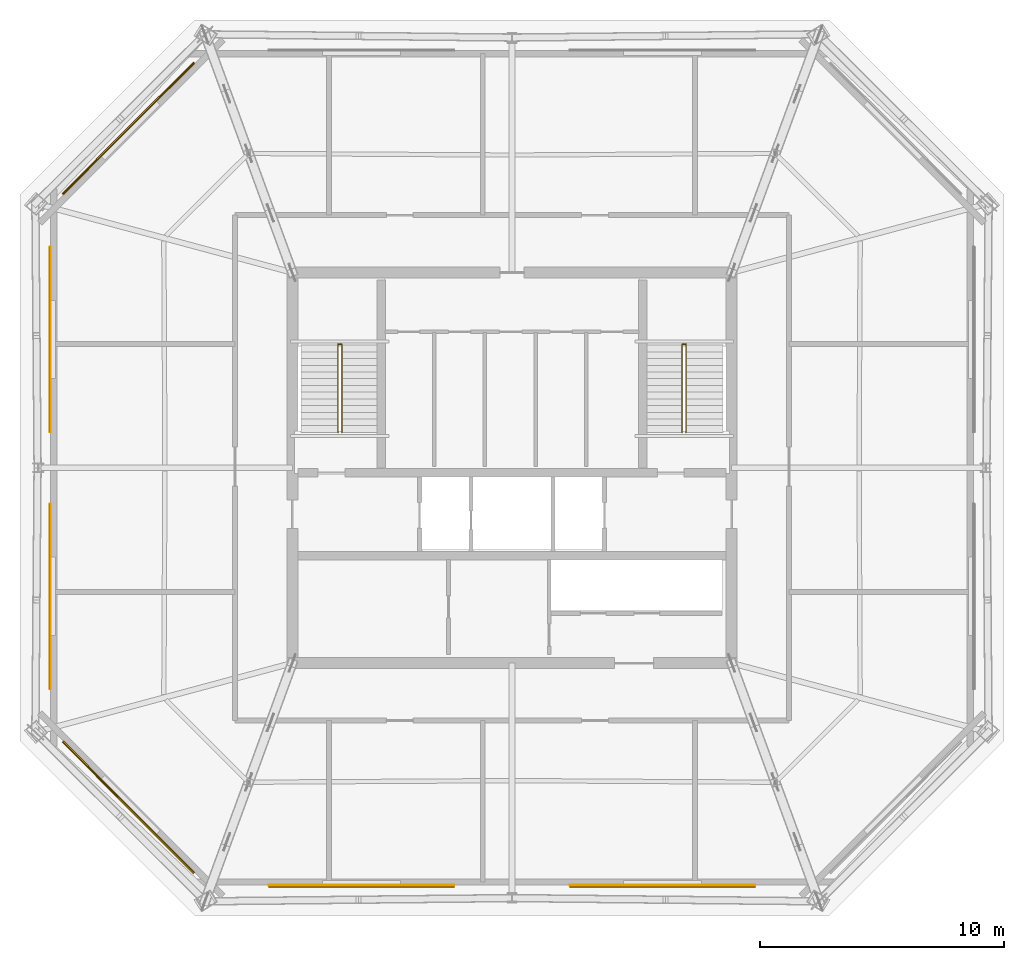
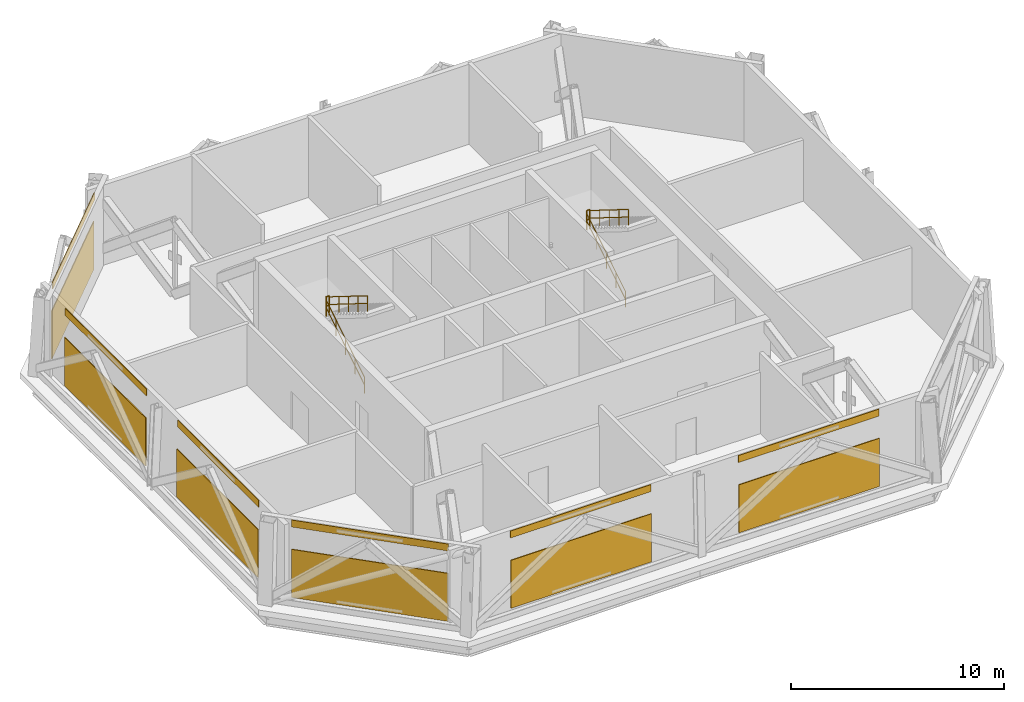
# One storey, part 9 of 10: 6 coverings, 6 railings, 6 shading devices.
"""IFC4 building model written with IfcOpenShell, lengths in metres."""

from ifc_helpers import new_model, si_unit, direction, frame, origin, origin_2d, place, context, subcontext, project, spatial, rectangle, circle, extrude, material, layer, layer_set, type_object, element, save


model = new_model("IFC4")

# Units and contexts
model_context = context("Model", 3, precision=1e-05, world=origin(), true_north=direction((0.0, 1.0)))
body_context = subcontext(model_context, "Body", "Model", "MODEL_VIEW")
ifc_project = project(units=[si_unit("LENGTHUNIT", "METRE"), si_unit("AREAUNIT", "SQUARE_METRE"), si_unit("VOLUMEUNIT", "CUBIC_METRE"), si_unit("PLANEANGLEUNIT", "RADIAN"), si_unit("MASSUNIT", "GRAM", prefix="KILO")], contexts=[model_context])

# Site, building, storey
site_placement = place(None, origin())
site = spatial("IfcSite", under=ifc_project, at=site_placement, CompositionType="ELEMENT")
building_placement = place(site_placement, origin())
building = spatial("IfcBuilding", under=site, at=building_placement, Name="Caelvoria Tower", CompositionType="ELEMENT")
storey_placement = place(building_placement, frame((0.0, 0.0, 234.60009765625)))
storey = spatial("IfcBuildingStorey", under=building, at=storey_placement, Name="L62", CompositionType="ELEMENT", Elevation=234.60009765625)

# Coverings
ifc_material_1 = material(Name="Perforated Architectural Bronze Cladding Screen", Category="bronze")
ifc_layer_1 = layer(ifc_material_1, 0.0400390625, Name="Perforated Architectural Bronze Cladding Screen")
ifc_layer_set_1 = layer_set([ifc_layer_1], Name="Perforated Bronze Louvre Cladding Band 40 - Perforated Architectural Bronze Cladding Screen")
covering_type = type_object("IfcCoveringType", Name="Perforated Bronze Louvre Cladding Band 40", PredefinedType="CLADDING", material=ifc_layer_set_1)
for number, where, z_axis, x_axis, name in (
    (1, (39.834716796875, 14.892578125, 4.155029296875), (0.0, 0.0, 1.0), (1.0, 0.0, 0.0), "Perforated Bronze Screen Band L62-E0-00"),
    (2, (52.165283203125, 14.892578125, 4.155029296875), (0.0, 0.0, 1.0), (1.0, 0.0, 0.0), "Perforated Bronze Screen Band L62-E0-01"),
    (3, (30.302734375, 45.88818359375, 4.155029296875), (0.0, 0.0, 1.0), (-0.707106781187, -0.707106781187, 0.0), "Perforated Bronze Screen Band L62-E5-00"),
    (4, (27.08349609375, 37.260986328125, 4.155029296875), (0.0, 0.0, 1.0), (0.0, -1.0, 0.0), "Perforated Bronze Screen Band L62-E6-00"),
    (5, (27.08349609375, 26.739013671875, 4.155029296875), (0.0, 0.0, 1.0), (0.0, -1.0, 0.0), "Perforated Bronze Screen Band L62-E6-01"),
    (6, (30.302734375, 18.11181640625, 4.155029296875), (0.0, 0.0, 1.0), (0.707106781187, -0.707106781187, 0.0), "Perforated Bronze Screen Band L62-E7-00"),
):
    element("IfcCovering", number, at=place(storey_placement, frame(where, z_axis=z_axis, x_axis=x_axis)), inside=storey, type_object=covering_type, Name=name, PredefinedType="CLADDING", context=body_context, shape_type="SweptSolid", body=[
        extrude(rectangle(XDim=7.60009765625, YDim=0.0400390625, at=origin_2d()), origin(), (0.0, 0.0, 1.0), 0.39990234375),
    ])

# Shading devices
ifc_material_2 = material(Name="Perforated Architectural Bronze Alloy Panel", Category="bronze")
ifc_layer_2 = layer(ifc_material_2, 0.044921875, Name="Perforated Architectural Bronze Alloy Panel")
ifc_layer_set_2 = layer_set([ifc_layer_2], Name="Perforated Bronze Solar Screen Panel SCREEN - Perforated Architectural Bronze Alloy Panel")
shading_device_type = type_object("IfcShadingDeviceType", Name="Perforated Bronze Solar Screen Panel SCREEN", PredefinedType="USERDEFINED", material=ifc_layer_set_2)
for number, where, z_axis, x_axis, name in (
    (7, (39.834716796875, 14.849609375, 0.159912109375), (0.0, 0.0, 1.0), (1.0, 0.0, 0.0), "Perforated Bronze Solar Screen L62-E0-00"),
    (8, (52.165283203125, 14.849609375, 0.159912109375), (0.0, 0.0, 1.0), (1.0, 0.0, 0.0), "Perforated Bronze Solar Screen L62-E0-01"),
    (9, (30.272216796875, 45.918701171875, 0.159912109375), (0.0, 0.0, 1.0), (-0.707106781187, -0.707106781187, 0.0), "Perforated Bronze Solar Screen L62-E5-00"),
    (10, (27.04052734375, 37.260986328125, 0.159912109375), (0.0, 0.0, 1.0), (0.0, -1.0, 0.0), "Perforated Bronze Solar Screen L62-E6-00"),
    (11, (27.04052734375, 26.739013671875, 0.159912109375), (0.0, 0.0, 1.0), (0.0, -1.0, 0.0), "Perforated Bronze Solar Screen L62-E6-01"),
    (12, (30.272216796875, 18.081298828125, 0.159912109375), (0.0, 0.0, 1.0), (0.707106781187, -0.707106781187, 0.0), "Perforated Bronze Solar Screen L62-E7-00"),
):
    element("IfcShadingDevice", number, at=place(storey_placement, frame(where, z_axis=z_axis, x_axis=x_axis)), inside=storey, type_object=shading_device_type, Name=name, ObjectType="SCREEN", PredefinedType="USERDEFINED", context=body_context, shape_type="SweptSolid", body=[
        extrude(rectangle(XDim=7.60009765625, YDim=0.044921875, at=origin_2d()), origin(), (0.0, 0.0, 1.0), 2.75),
    ])

# Railings
ifc_material_3 = material(Name="Brushed Stainless Steel Tube", Category="steel")
railing_type_1 = type_object("IfcRailingType", Name="Stair Tubular Stainless Handrail 920", PredefinedType="HANDRAIL", material=ifc_material_3)
railing_1_placement = place(storey_placement, frame((38.8701171875, 33.449951171875, 0.17138671875)))
element("IfcRailing", 13, at=railing_1_placement, inside=storey, type_object=railing_type_1, Name="ST-01 Flight 1 Handrail L62", PredefinedType="HANDRAIL", context=body_context, shape_type="SweptSolid", body=[
    extrude(circle(Radius=0.02392578125, at=origin_2d()), frame((0.0, 0.0, 0.89599609375), z_axis=(0.0, 0.848619585623, 0.529003590628), x_axis=(-1.0, 0.0, 0.0)), (0.0, 0.0, 1.0), 4.212646484375),
    extrude(circle(Radius=0.02392578125, at=origin_2d()), frame((0.0, 0.0, 0.4599609375), z_axis=(0.0, 0.848619585623, 0.529003590628), x_axis=(-1.0, 0.0, 0.0)), (0.0, 0.0, 1.0), 4.212646484375),
    extrude(circle(Radius=0.02099609375, at=origin_2d()), origin(), (0.0, 0.0, 1.0), 0.871826171875),
    extrude(circle(Radius=0.02099609375, at=origin_2d()), frame((0.0, 0.893798828125, 0.55712890625)), (0.0, 0.0, 1.0), 0.871826171875),
    extrude(circle(Radius=0.02099609375, at=origin_2d()), frame((0.0, 1.78759765625, 1.1142578125)), (0.0, 0.0, 1.0), 0.871826171875),
    extrude(circle(Radius=0.02099609375, at=origin_2d()), frame((0.0, 2.68115234375, 1.67138671875)), (0.0, 0.0, 1.0), 0.871826171875),
    extrude(circle(Radius=0.02099609375, at=origin_2d()), frame((0.0, 3.574951171875, 2.228515625)), (0.0, 0.0, 1.0), 0.871826171875),
])
railing_2_placement = place(storey_placement, frame((39.030029296875, 37.02490234375, 2.5712890625)))
element("IfcRailing", 14, at=railing_2_placement, inside=storey, type_object=railing_type_1, Name="ST-01 Flight 2 Handrail L62", PredefinedType="HANDRAIL", context=body_context, shape_type="SweptSolid", body=[
    extrude(circle(Radius=0.02392578125, at=origin_2d()), frame((0.0, 0.0, 0.89599609375), z_axis=(0.0, -0.848619585623, 0.529003590628), x_axis=(1.0, 0.0, 0.0)), (0.0, 0.0, 1.0), 4.212646484375),
    extrude(circle(Radius=0.02392578125, at=origin_2d()), frame((0.0, 0.0, 0.4599609375), z_axis=(0.0, -0.848619585623, 0.529003590628), x_axis=(1.0, 0.0, 0.0)), (0.0, 0.0, 1.0), 4.212646484375),
    extrude(circle(Radius=0.02099609375, at=origin_2d()), origin(), (0.0, 0.0, 1.0), 0.871826171875),
    extrude(circle(Radius=0.02099609375, at=origin_2d()), frame((0.0, -0.893798828125, 0.55712890625)), (0.0, 0.0, 1.0), 0.871826171875),
    extrude(circle(Radius=0.02099609375, at=origin_2d()), frame((0.0, -1.78759765625, 1.1142578125)), (0.0, 0.0, 1.0), 0.871826171875),
    extrude(circle(Radius=0.02099609375, at=origin_2d()), frame((0.0, -2.68115234375, 1.67138671875)), (0.0, 0.0, 1.0), 0.871826171875),
    extrude(circle(Radius=0.02099609375, at=origin_2d()), frame((0.0, -3.574951171875, 2.228515625)), (0.0, 0.0, 1.0), 0.871826171875),
])
railing_3_placement = place(storey_placement, frame((52.969970703125, 33.449951171875, 0.17138671875)))
element("IfcRailing", 15, at=railing_3_placement, inside=storey, type_object=railing_type_1, Name="ST-02 Flight 1 Handrail L62", PredefinedType="HANDRAIL", context=body_context, shape_type="SweptSolid", body=[
    extrude(circle(Radius=0.02392578125, at=origin_2d()), frame((0.0, 0.0, 0.89599609375), z_axis=(0.0, 0.848619585623, 0.529003590628), x_axis=(-1.0, 0.0, 0.0)), (0.0, 0.0, 1.0), 4.212646484375),
    extrude(circle(Radius=0.02392578125, at=origin_2d()), frame((0.0, 0.0, 0.4599609375), z_axis=(0.0, 0.848619585623, 0.529003590628), x_axis=(-1.0, 0.0, 0.0)), (0.0, 0.0, 1.0), 4.212646484375),
    extrude(circle(Radius=0.02099609375, at=origin_2d()), origin(), (0.0, 0.0, 1.0), 0.871826171875),
    extrude(circle(Radius=0.02099609375, at=origin_2d()), frame((0.0, 0.893798828125, 0.55712890625)), (0.0, 0.0, 1.0), 0.871826171875),
    extrude(circle(Radius=0.02099609375, at=origin_2d()), frame((0.0, 1.78759765625, 1.1142578125)), (0.0, 0.0, 1.0), 0.871826171875),
    extrude(circle(Radius=0.02099609375, at=origin_2d()), frame((0.0, 2.68115234375, 1.67138671875)), (0.0, 0.0, 1.0), 0.871826171875),
    extrude(circle(Radius=0.02099609375, at=origin_2d()), frame((0.0, 3.574951171875, 2.228515625)), (0.0, 0.0, 1.0), 0.871826171875),
])
railing_4_placement = place(storey_placement, frame((53.1298828125, 37.02490234375, 2.5712890625)))
element("IfcRailing", 16, at=railing_4_placement, inside=storey, type_object=railing_type_1, Name="ST-02 Flight 2 Handrail L62", PredefinedType="HANDRAIL", context=body_context, shape_type="SweptSolid", body=[
    extrude(circle(Radius=0.02392578125, at=origin_2d()), frame((0.0, 0.0, 0.89599609375), z_axis=(0.0, -0.848619585623, 0.529003590628), x_axis=(1.0, 0.0, 0.0)), (0.0, 0.0, 1.0), 4.212646484375),
    extrude(circle(Radius=0.02392578125, at=origin_2d()), frame((0.0, 0.0, 0.4599609375), z_axis=(0.0, -0.848619585623, 0.529003590628), x_axis=(1.0, 0.0, 0.0)), (0.0, 0.0, 1.0), 4.212646484375),
    extrude(circle(Radius=0.02099609375, at=origin_2d()), origin(), (0.0, 0.0, 1.0), 0.871826171875),
    extrude(circle(Radius=0.02099609375, at=origin_2d()), frame((0.0, -0.893798828125, 0.55712890625)), (0.0, 0.0, 1.0), 0.871826171875),
    extrude(circle(Radius=0.02099609375, at=origin_2d()), frame((0.0, -1.78759765625, 1.1142578125)), (0.0, 0.0, 1.0), 0.871826171875),
    extrude(circle(Radius=0.02099609375, at=origin_2d()), frame((0.0, -2.68115234375, 1.67138671875)), (0.0, 0.0, 1.0), 0.871826171875),
    extrude(circle(Radius=0.02099609375, at=origin_2d()), frame((0.0, -3.574951171875, 2.228515625)), (0.0, 0.0, 1.0), 0.871826171875),
])
ifc_material_4 = material(Name="Brushed Stainless Steel Guardrail", Category="steel")
railing_type_2 = type_object("IfcRailingType", Name="Stair Well and Ramp Guardrail 1120", PredefinedType="GUARDRAIL", material=ifc_material_4)
for number, where, name in (
    (17, (38.8701171875, 37.06494140625, 2.39990234375), "ST-01 Half-Landing Well Guard L62"),
    (18, (52.969970703125, 37.06494140625, 2.39990234375), "ST-02 Half-Landing Well Guard L62"),
):
    element("IfcRailing", number, at=place(storey_placement, frame(where)), inside=storey, type_object=railing_type_2, Name=name, PredefinedType="GUARDRAIL", context=body_context, shape_type="SweptSolid", body=[
        extrude(circle(Radius=0.02392578125, at=origin_2d()), frame((0.0, 0.0, 1.09619140625), z_axis=(1.0, 0.0, 0.0), x_axis=(0.0, 1.0, 0.0)), (0.0, 0.0, 1.0), 0.159912109375),
        extrude(circle(Radius=0.02392578125, at=origin_2d()), frame((0.0, 0.0, 0.56005859375), z_axis=(1.0, 0.0, 0.0), x_axis=(0.0, 1.0, 0.0)), (0.0, 0.0, 1.0), 0.159912109375),
        extrude(circle(Radius=0.02099609375, at=origin_2d()), origin(), (0.0, 0.0, 1.0), 1.072021484375),
        extrude(circle(Radius=0.02099609375, at=origin_2d()), frame((0.159912109375, 0.0, 0.0)), (0.0, 0.0, 1.0), 1.072021484375),
    ])

save(model, "model.ifc")
